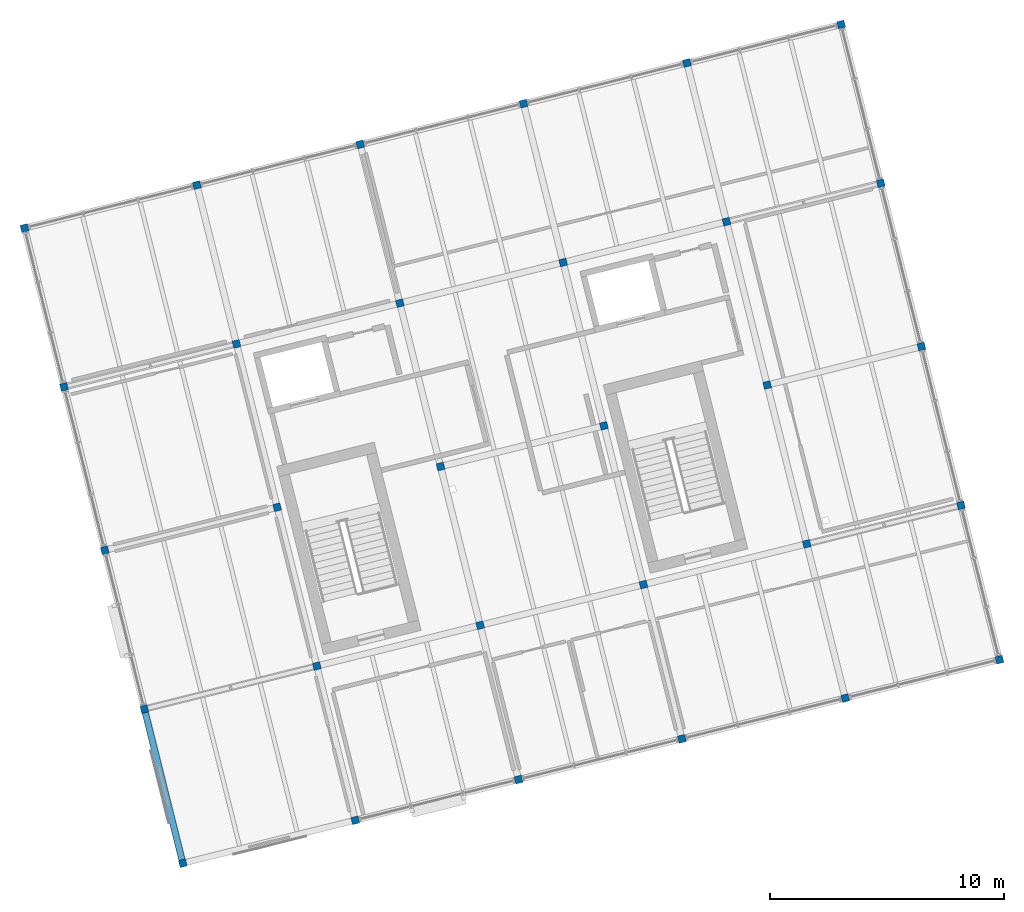
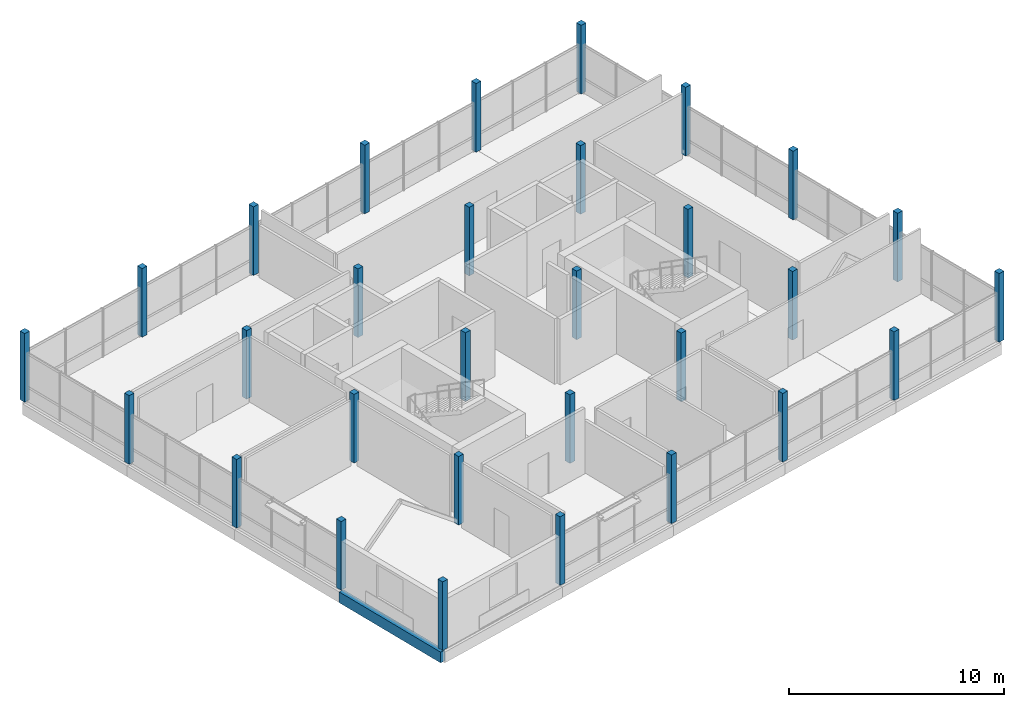
# One storey, part 1 of 25: 30 columns, 1 beam.
"""IFC4 building model written with IfcOpenShell, lengths in metres."""

from ifc_helpers import new_model, si_unit, direction, frame, origin, origin_2d, place, context, subcontext, project, spatial, rectangle, extrude, material, material_profile, profile_set, type_object, element, save


model = new_model("IFC4")

# Units and contexts
model_context = context("Model", 3, precision=1e-05, world=origin(), true_north=direction((0.0, 1.0)))
body_context = subcontext(model_context, "Body", "Model", "MODEL_VIEW")
ifc_project = project(units=[si_unit("LENGTHUNIT", "METRE"), si_unit("AREAUNIT", "SQUARE_METRE"), si_unit("VOLUMEUNIT", "CUBIC_METRE"), si_unit("PLANEANGLEUNIT", "RADIAN"), si_unit("MASSUNIT", "GRAM", prefix="KILO")], contexts=[model_context])

# Site, building, storey
site_placement = place(None, origin())
site = spatial("IfcSite", under=ifc_project, at=site_placement, CompositionType="ELEMENT")
building_placement = place(site_placement, origin())
building = spatial("IfcBuilding", under=site, at=building_placement, Name="Meriwether Solvik Hall", CompositionType="ELEMENT")
storey_placement = place(building_placement, frame((0.0, 0.0, 49.5)))
storey = spatial("IfcBuildingStorey", under=building, at=storey_placement, Name="L12", CompositionType="ELEMENT", Elevation=49.5)

# Columns
ifc_material_1 = material(Name="Glulam Douglas-Fir L2 GL28c", Category="wood")
ifc_material_profile_1 = material_profile(ifc_material_1, rectangle(XDim=0.31494140625, YDim=0.31494140625, at=origin_2d()), Name="GLC-315X315")
ifc_profile_set_1 = profile_set([ifc_material_profile_1], Name="Glulam Douglas-Fir L2 GL28c")
column_type = type_object("IfcColumnType", Name="COL-GL-315X315", PredefinedType="COLUMN", material=ifc_profile_set_1)
for number, where, z_axis, x_axis, name in (
    (1, (68.60009765625, 41.199951171875, 0.0), (0.0, 0.0, 1.0), (0.970295726276, 0.2419218956, 0.0), "Tower Column T1/TA (L12)"),
    (2, (66.954833984375, 47.798095703125, 0.0), (0.0, 0.0, 1.0), (0.970295726276, 0.2419218956, 0.0), "Tower Column T1/TB (L12)"),
    (3, (65.261474609375, 54.590087890625, 0.0), (0.0, 0.0, 1.0), (0.970295726276, 0.2419218956, 0.0), "Tower Column T1/TC (L12)"),
    (4, (63.51953125, 61.576171875, 0.0), (0.0, 0.0, 1.0), (0.970295726276, 0.2419218956, 0.0), "Tower Column T1/TD (L12)"),
    (5, (61.826171875, 68.3681640625, 0.0), (0.0, 0.0, 1.0), (0.970295726276, 0.2419218956, 0.0), "Tower Column T1/TE (L12)"),
    (6, (75.974365234375, 43.03857421875, 0.0), (0.0, 0.0, 1.0), (0.970295726276, 0.2419218956, 0.0), "Tower Column T2/TA (L12)"),
    (7, (74.3291015625, 49.63671875, 0.0), (0.0, 0.0, 1.0), (0.970295726276, 0.2419218956, 0.0), "Tower Column T2/TB (L12)"),
    (8, (72.6357421875, 56.4287109375, 0.0), (0.0, 0.0, 1.0), (0.970295726276, 0.2419218956, 0.0), "Tower Column T2/TC (L12)"),
    (9, (70.893798828125, 63.414794921875, 0.0), (0.0, 0.0, 1.0), (0.970295726276, 0.2419218956, 0.0), "Tower Column T2/TD (L12)"),
    (10, (69.200439453125, 70.206787109375, 0.0), (0.0, 0.0, 1.0), (0.970295726276, 0.2419218956, 0.0), "Tower Column T2/TE (L12)"),
    (11, (82.96044921875, 44.780517578125, 0.0), (0.0, 0.0, 1.0), (0.970295726276, 0.2419218956, 0.0), "Tower Column T3/TA (L12)"),
    (12, (81.3154296875, 51.37841796875, 0.0), (0.0, 0.0, 1.0), (0.970295726276, 0.2419218956, 0.0), "Tower Column T3/TB (L12)"),
    (13, (79.621826171875, 58.17041015625, 0.0), (0.0, 0.0, 1.0), (0.970295726276, 0.2419218956, 0.0), "Tower Column T3/TC (L12)"),
    (14, (77.880126953125, 65.15673828125, 0.0), (0.0, 0.0, 1.0), (0.970295726276, 0.2419218956, 0.0), "Tower Column T3/TD (L12)"),
    (15, (76.1865234375, 71.94873046875, 0.0), (0.0, 0.0, 1.0), (0.970295726276, 0.2419218956, 0.0), "Tower Column T3/TE (L12)"),
    (16, (89.946533203125, 46.522216796875, 0.0), (0.0, 0.0, 1.0), (0.970295726276, 0.2419218956, 0.0), "Tower Column T4/TA (L12)"),
    (17, (88.301513671875, 53.120361328125, 0.0), (0.0, 0.0, 1.0), (0.970295726276, 0.2419218956, 0.0), "Tower Column T4/TB (L12)"),
    (18, (86.60791015625, 59.912353515625, 0.0), (0.0, 0.0, 1.0), (0.970295726276, 0.2419218956, 0.0), "Tower Column T4/TC (L12)"),
    (19, (84.8662109375, 66.8984375, 0.0), (0.0, 0.0, 1.0), (0.970295726276, 0.2419218956, 0.0), "Tower Column T4/TD (L12)"),
    (20, (83.172607421875, 73.690673828125, 0.0), (0.0, 0.0, 1.0), (0.970295726276, 0.2419218956, 0.0), "Tower Column T4/TE (L12)"),
    (21, (96.9326171875, 48.26416015625, 0.0), (0.0, 0.0, 1.0), (0.970295726276, 0.2419218956, 0.0), "Tower Column T5/TA (L12)"),
    (22, (95.28759765625, 54.862060546875, 0.0), (0.0, 0.0, 1.0), (0.970295726276, 0.2419218956, 0.0), "Tower Column T5/TB (L12)"),
    (23, (93.593994140625, 61.654296875, 0.0), (0.0, 0.0, 1.0), (0.970295726276, 0.2419218956, 0.0), "Tower Column T5/TC (L12)"),
    (24, (91.852294921875, 68.640380859375, 0.0), (0.0, 0.0, 1.0), (0.970295726276, 0.2419218956, 0.0), "Tower Column T5/TD (L12)"),
    (25, (90.158935546875, 75.432373046875, 0.0), (0.0, 0.0, 1.0), (0.970295726276, 0.2419218956, 0.0), "Tower Column T5/TE (L12)"),
    (26, (103.53076171875, 49.9091796875, 0.0), (0.0, 0.0, 1.0), (0.970295726276, 0.2419218956, 0.0), "Tower Column T6/TA (L12)"),
    (27, (101.885498046875, 56.507080078125, 0.0), (0.0, 0.0, 1.0), (0.970295726276, 0.2419218956, 0.0), "Tower Column T6/TB (L12)"),
    (28, (100.192138671875, 63.29931640625, 0.0), (0.0, 0.0, 1.0), (0.970295726276, 0.2419218956, 0.0), "Tower Column T6/TC (L12)"),
    (29, (98.4501953125, 70.285400390625, 0.0), (0.0, 0.0, 1.0), (0.970295726276, 0.2419218956, 0.0), "Tower Column T6/TD (L12)"),
    (30, (96.7568359375, 77.077392578125, 0.0), (0.0, 0.0, 1.0), (0.970295726276, 0.2419218956, 0.0), "Tower Column T6/TE (L12)"),
):
    element("IfcColumn", number, at=place(storey_placement, frame(where, z_axis=z_axis, x_axis=x_axis)), inside=storey, type_object=column_type, Name=name, PredefinedType="COLUMN", context=body_context, shape_type="SweptSolid", body=[
        extrude(rectangle(XDim=0.31494140625, YDim=0.31494140625, at=origin_2d()), origin(), (0.0, 0.0, 1.0), 3.89990234375),
    ])

# Beam
ifc_material_2 = material(Name="Glulam Douglas-Fir 24F-V8 GL28h", Category="wood")
ifc_material_profile_2 = material_profile(ifc_material_2, rectangle(XDim=0.27294921875, YDim=0.610107421875, at=origin_2d()), Name="GLB-273X610")
ifc_profile_set_2 = profile_set([ifc_material_profile_2], Name="Glulam Douglas-Fir 24F-V8 GL28h")
beam_type = type_object("IfcBeamType", Name="BM-GL-273X610", PredefinedType="SPANDREL", material=ifc_profile_set_2)
beam_placement = place(storey_placement, frame((68.60009765625, 41.199951171875, -0.485107421875), z_axis=(-0.241944251278, 0.970290152106, 0.0), x_axis=(-0.970290152106, -0.241944251278, 0.0)))
element("IfcBeam", 31, at=beam_placement, inside=storey, type_object=beam_type, Name="Tower Girder T1:TA-TB (L12)", PredefinedType="SPANDREL", context=body_context, shape_type="SweptSolid", body=[
    extrude(rectangle(XDim=0.27294921875, YDim=0.610107421875, at=origin_2d()), origin(), (0.0, 0.0, 1.0), 6.80029296875),
])

save(model, "model.ifc")
